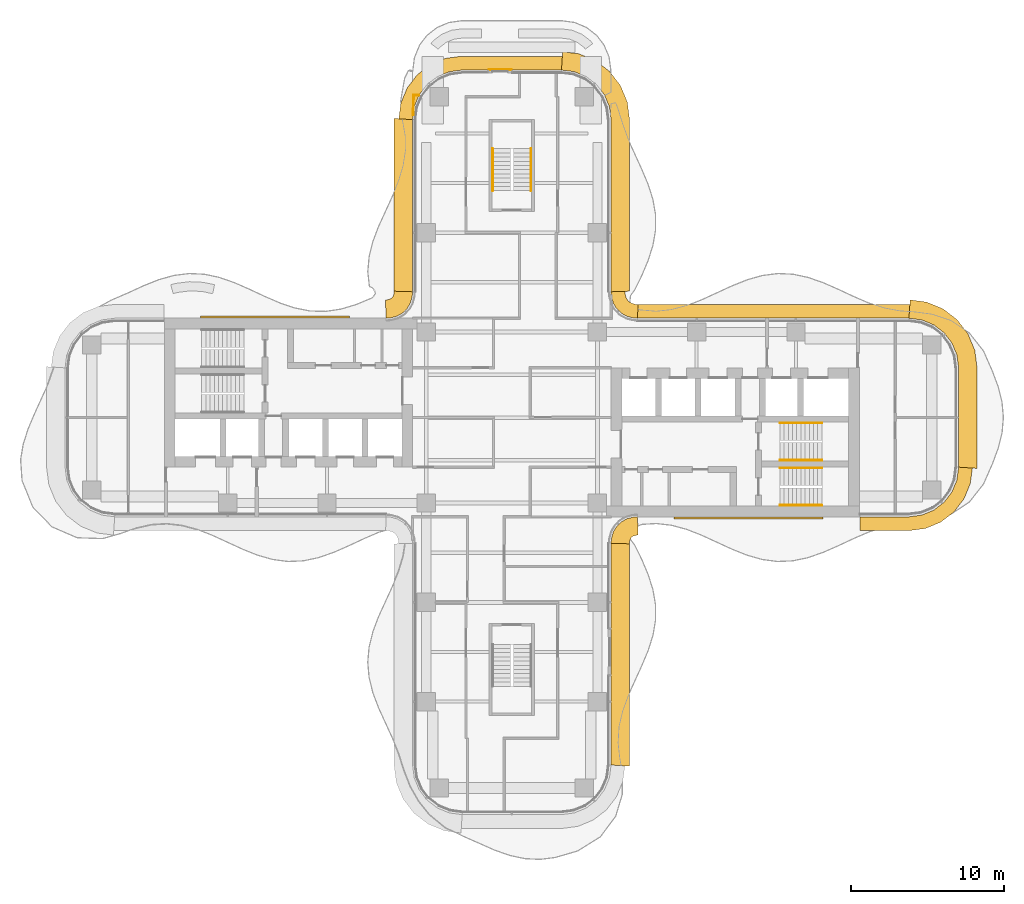
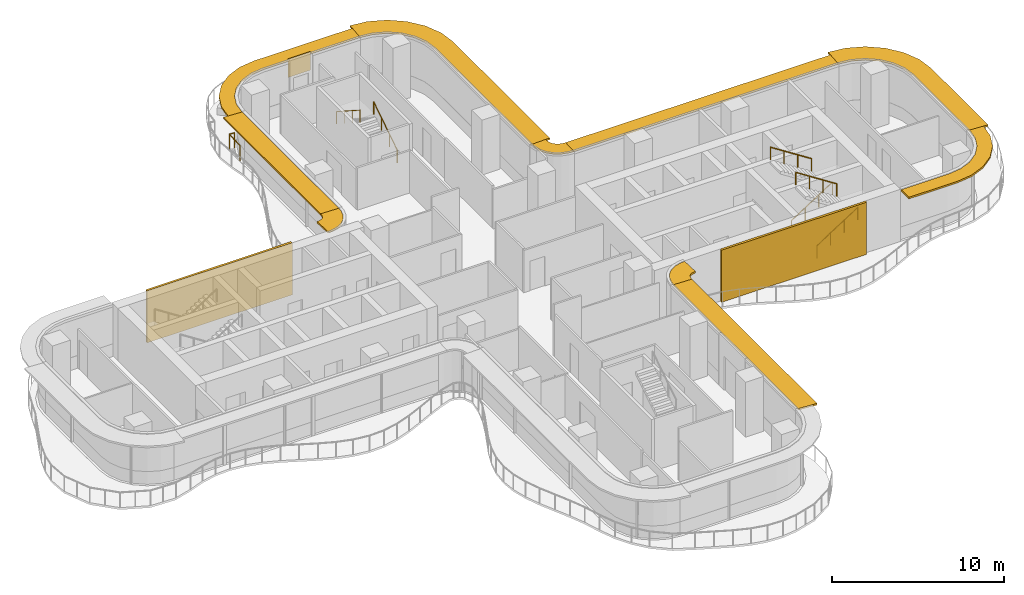
# One storey, part 17 of 17: 10 shading devices, 7 railings, 3 coverings.
"""IFC4 building model written with IfcOpenShell, lengths in metres."""

from ifc_helpers import new_model, si_unit, direction, frame, origin, origin_2d, place, context, subcontext, project, spatial, polyline, rectangle, circle, outline, extrude, source, transform, mapped, material, layer, layer_set, type_object, element, save


model = new_model("IFC4")

# Units and contexts
model_context = context("Model", 3, precision=1e-05, world=origin(), true_north=direction((0.0, 1.0)))
body_context = subcontext(model_context, "Body", "Model", "MODEL_VIEW")
ifc_project = project(units=[si_unit("LENGTHUNIT", "METRE"), si_unit("AREAUNIT", "SQUARE_METRE"), si_unit("VOLUMEUNIT", "CUBIC_METRE"), si_unit("PLANEANGLEUNIT", "RADIAN"), si_unit("MASSUNIT", "GRAM", prefix="KILO")], contexts=[model_context])

# Site, building, storey
site_placement = place(None, origin())
site = spatial("IfcSite", under=ifc_project, at=site_placement, CompositionType="ELEMENT")
building_placement = place(site_placement, origin())
building = spatial("IfcBuilding", under=site, at=building_placement, Name="Trellis Farm Tower", CompositionType="ELEMENT")
storey_placement = place(building_placement, frame((0.0, 0.0, 185.39990234375)))
storey = spatial("IfcBuildingStorey", under=building, at=storey_placement, Name="L40", CompositionType="ELEMENT", Elevation=185.39990234375)

# Covering
ifc_material_1 = material(Name="Sandstone", Category="masonry")
ifc_layer_1 = layer(ifc_material_1, 0.050048828125)
ifc_layer_set_1 = layer_set([ifc_layer_1], Name="STONE CLADDING PANEL")
covering_type_1 = type_object("IfcCoveringType", Name="STONE CLADDING PANEL", PredefinedType="CLADDING", material=ifc_layer_set_1)
covering_1_placement = place(storey_placement, frame((0.0, 0.0, 2.400146484375)))
element("IfcCovering", 1, at=covering_1_placement, inside=storey, type_object=covering_type_1, Name="CD1 02", PredefinedType="CLADDING", context=body_context, shape_type="SweptSolid", body=[
    extrude(outline(polyline([(-0.02001953125, 22.800048828125), (-1.52001953125, 22.800048828125), (-1.52001953125, 22.75), (-0.02001953125, 22.75), (-0.02001953125, 22.800048828125)])), origin(), (0.0, 0.0, 1.0), 1.300048828125),
])

# Railings
ifc_material_2 = material(Name="Stainless steel", Category="steel")
railing_type_1 = type_object("IfcRailingType", Name="STAIR HANDRAIL 900", PredefinedType="HANDRAIL", material=ifc_material_2)
shared_shape_1 = source(origin(), body_context, "Body", "SweptSolid", [
    extrude(circle(Radius=0.02392578125, at=origin_2d()), frame((0.0, 0.0, 0.8759765625), z_axis=(0.0, 0.840503830235, 0.541805602924), x_axis=(-1.0, 0.0, 0.0)), (0.0, 0.0, 1.0), 3.271728515625),
    extrude(circle(Radius=0.02099609375, at=origin_2d()), origin(), (0.0, 0.0, 1.0), 0.851806640625),
    extrude(circle(Radius=0.02099609375, at=origin_2d()), frame((0.0, 0.916748046875, 0.5908203125)), (0.0, 0.0, 1.0), 0.851806640625),
    extrude(circle(Radius=0.02099609375, at=origin_2d()), frame((0.0, 1.833251953125, 1.181884765625)), (0.0, 0.0, 1.0), 0.851806640625),
    extrude(circle(Radius=0.02099609375, at=origin_2d()), frame((0.0, 2.75, 1.772705078125)), (0.0, 0.0, 1.0), 0.851806640625),
])
railing_1_placement = place(storey_placement, frame((1.25, 14.85009765625, 0.177490234375)))
element("IfcRailing", 2, at=railing_1_placement, inside=storey, type_object=railing_type_1, Name="Stair handrail", PredefinedType="HANDRAIL", context=body_context, shape_type="MappedRepresentation", body=[
    mapped(shared_shape_1, transform((0.0, 0.0, 0.0))),
])
shared_shape_2 = source(origin(), body_context, "Body", "SweptSolid", [
    extrude(circle(Radius=0.02392578125, at=origin_2d()), frame((0.0, 0.0, 0.8759765625), z_axis=(0.0, -0.840503830235, 0.541805602924), x_axis=(1.0, 0.0, 0.0)), (0.0, 0.0, 1.0), 3.271728515625),
    extrude(circle(Radius=0.02099609375, at=origin_2d()), origin(), (0.0, 0.0, 1.0), 0.851806640625),
    extrude(circle(Radius=0.02099609375, at=origin_2d()), frame((0.0, -0.916748046875, 0.5908203125)), (0.0, 0.0, 1.0), 0.851806640625),
    extrude(circle(Radius=0.02099609375, at=origin_2d()), frame((0.0, -1.833251953125, 1.181884765625)), (0.0, 0.0, 1.0), 0.851806640625),
    extrude(circle(Radius=0.02099609375, at=origin_2d()), frame((0.0, -2.75, 1.772705078125)), (0.0, 0.0, 1.0), 0.851806640625),
])
railing_2_placement = place(storey_placement, frame((-1.25, 17.60009765625, 2.12744140625)))
element("IfcRailing", 3, at=railing_2_placement, inside=storey, type_object=railing_type_1, Name="Stair handrail", PredefinedType="HANDRAIL", context=body_context, shape_type="MappedRepresentation", body=[
    mapped(shared_shape_2, transform((0.0, 0.0, 0.0))),
])
shared_shape_3 = source(origin(), body_context, "Body", "SweptSolid", [
    extrude(circle(Radius=0.02392578125, at=origin_2d()), frame((0.0, 0.0, 0.8759765625), z_axis=(0.840503830235, 0.0, 0.541805602924), x_axis=(0.0, 1.0, 0.0)), (0.0, 0.0, 1.0), 3.271728515625),
    extrude(circle(Radius=0.02099609375, at=origin_2d()), origin(), (0.0, 0.0, 1.0), 0.851806640625),
    extrude(circle(Radius=0.02099609375, at=origin_2d()), frame((0.916748046875, 0.0, 0.5908203125)), (0.0, 0.0, 1.0), 0.851806640625),
    extrude(circle(Radius=0.02099609375, at=origin_2d()), frame((1.833251953125, 0.0, 1.181884765625)), (0.0, 0.0, 1.0), 0.851806640625),
    extrude(circle(Radius=0.02099609375, at=origin_2d()), frame((2.75, 0.0, 1.772705078125)), (0.0, 0.0, 1.0), 0.851806640625),
])
for number, where, name in (
    (4, (17.550048828125, -5.75, 0.177490234375), "Stair handrail"),
    (5, (17.550048828125, -2.800048828125, 0.177490234375), "Stair handrail"),
):
    element("IfcRailing", number, at=place(storey_placement, frame(where)), inside=storey, type_object=railing_type_1, Name=name, PredefinedType="HANDRAIL", context=body_context, shape_type="MappedRepresentation", body=[
        mapped(shared_shape_3, transform((0.0, 0.0, 0.0))),
    ])
shared_shape_4 = source(origin(), body_context, "Body", "SweptSolid", [
    extrude(circle(Radius=0.02392578125, at=origin_2d()), frame((0.0, 0.0, 0.8759765625), z_axis=(-0.840503830235, 0.0, 0.541805602924), x_axis=(0.0, -1.0, 0.0)), (0.0, 0.0, 1.0), 3.271728515625),
    extrude(circle(Radius=0.02099609375, at=origin_2d()), origin(), (0.0, 0.0, 1.0), 0.851806640625),
    extrude(circle(Radius=0.02099609375, at=origin_2d()), frame((-0.916748046875, 0.0, 0.5908203125)), (0.0, 0.0, 1.0), 0.851806640625),
    extrude(circle(Radius=0.02099609375, at=origin_2d()), frame((-1.833251953125, 0.0, 1.181884765625)), (0.0, 0.0, 1.0), 0.851806640625),
    extrude(circle(Radius=0.02099609375, at=origin_2d()), frame((-2.75, 0.0, 1.772705078125)), (0.0, 0.0, 1.0), 0.851806640625),
])
for number, where, name in (
    (6, (20.300048828125, -3.300048828125, 2.12744140625), "Stair handrail"),
    (7, (20.300048828125, -0.35009765625, 2.12744140625), "Stair handrail"),
):
    element("IfcRailing", number, at=place(storey_placement, frame(where)), inside=storey, type_object=railing_type_1, Name=name, PredefinedType="HANDRAIL", context=body_context, shape_type="MappedRepresentation", body=[
        mapped(shared_shape_4, transform((0.0, 0.0, 0.0))),
    ])

# Shading devices
ifc_material_3 = material(Name="Aluminium extrusion 6063-T6", Category="aluminium")
ifc_layer_2 = layer(ifc_material_3, 0.1201171875)
ifc_layer_set_2 = layer_set([ifc_layer_2], Name="SUNSHADE BLADE 1200")
shading_device_type_1 = type_object("IfcShadingDeviceType", Name="SUNSHADE BLADE 1200", PredefinedType="USERDEFINED", material=ifc_layer_set_2)
shared_shape_5 = source(origin(), body_context, "Body", "SweptSolid", [
    extrude(outline(polyline([(7.699951171875, -22.82861328125), (7.699951171875, -8.270751953125), (6.5, -8.2314453125), (6.5, -22.75), (7.699951171875, -22.82861328125)])), origin(), (0.0, 0.0, 1.0), 0.1201171875),
])
placement_1 = place(storey_placement, frame((0.0, 0.0, 3.5400390625)))
element("IfcShadingDevice", 8, at=placement_1, inside=storey, type_object=shading_device_type_1, Name="SD2 005", ObjectType="SUNSHADE", PredefinedType="USERDEFINED", context=body_context, shape_type="MappedRepresentation", body=[
    mapped(shared_shape_5, transform((0.0, 0.0, 0.0))),
])
shared_shape_6 = source(origin(), body_context, "Body", "SweptSolid", [
    extrude(outline(polyline([(7.699951171875, -8.270751953125), (7.708740234375, -8.13720703125), (7.70703125, -8.150146484375), (7.7548828125, -7.9716796875), (7.80712890625, -7.881103515625), (7.881103515625, -7.80712890625), (7.9716796875, -7.7548828125), (8.150146484375, -7.70703125), (8.13720703125, -7.708740234375), (8.270751953125, -7.699951171875), (8.2314453125, -6.5), (8.01953125, -6.513916015625), (7.91552734375, -6.527587890625), (7.508544921875, -6.63671875), (7.144287109375, -6.846923828125), (6.846923828125, -7.144287109375), (6.63671875, -7.508544921875), (6.527587890625, -7.91552734375), (6.513916015625, -8.01953125), (6.5, -8.2314453125), (7.699951171875, -8.270751953125)])), origin(), (0.0, 0.0, 1.0), 0.1201171875),
])
element("IfcShadingDevice", 9, at=placement_1, inside=storey, type_object=shading_device_type_1, Name="SD2 006", ObjectType="SUNSHADE", PredefinedType="USERDEFINED", context=body_context, shape_type="MappedRepresentation", body=[
    mapped(shared_shape_6, transform((0.0, 0.0, 0.0))),
])
ifc_layer_3 = layer(ifc_material_3, 0.1201171875)
ifc_layer_set_3 = layer_set([ifc_layer_3], Name="SUNSHADE BLADE 900")
shading_device_type_2 = type_object("IfcShadingDeviceType", Name="SUNSHADE BLADE 900", PredefinedType="USERDEFINED", material=ifc_layer_set_3)
shared_shape_7 = source(origin(), body_context, "Body", "SweptSolid", [
    extrude(outline(polyline([(22.780029296875, -7.39990234375), (26.05908203125, -7.39990234375), (27.076171875, -7.26611328125), (28.078857421875, -6.850830078125), (28.93994140625, -6.18994140625), (29.600830078125, -5.328857421875), (30.01611328125, -4.326171875), (30.14990234375, -3.30908203125), (29.25, -3.25), (29.13916015625, -4.091064453125), (28.814697265625, -4.875), (28.298095703125, -5.548095703125), (27.625, -6.064697265625), (26.841064453125, -6.38916015625), (26.0, -6.5), (22.780029296875, -6.5), (22.780029296875, -7.39990234375)])), origin(), (0.0, 0.0, 1.0), 0.1201171875),
])
element("IfcShadingDevice", 10, at=placement_1, inside=storey, type_object=shading_device_type_2, Name="SD1 007", ObjectType="SUNSHADE", PredefinedType="USERDEFINED", context=body_context, shape_type="MappedRepresentation", body=[
    mapped(shared_shape_7, transform((0.0, 0.0, 0.0))),
])
shared_shape_8 = source(origin(), body_context, "Body", "SweptSolid", [
    extrude(outline(polyline([(30.449951171875, -3.32861328125), (30.449951171875, 3.32861328125), (30.308349609375, 4.404541015625), (29.86279296875, 5.480224609375), (29.154052734375, 6.404052734375), (28.230224609375, 7.11279296875), (27.154541015625, 7.558349609375), (26.07861328125, 7.699951171875), (26.0, 6.5), (26.841064453125, 6.38916015625), (27.625, 6.064697265625), (28.298095703125, 5.548095703125), (28.814697265625, 4.875), (29.13916015625, 4.091064453125), (29.25, 3.25), (29.25, -3.25), (30.449951171875, -3.32861328125)])), origin(), (0.0, 0.0, 1.0), 0.1201171875),
])
element("IfcShadingDevice", 11, at=placement_1, inside=storey, type_object=shading_device_type_1, Name="SD2 008", ObjectType="SUNSHADE", PredefinedType="USERDEFINED", context=body_context, shape_type="MappedRepresentation", body=[
    mapped(shared_shape_8, transform((0.0, 0.0, 0.0))),
])
shared_shape_9 = source(origin(), body_context, "Body", "SweptSolid", [
    extrude(outline(polyline([(26.05908203125, 7.39990234375), (8.2607421875, 7.39990234375), (8.2314453125, 6.5), (26.0, 6.5), (26.05908203125, 7.39990234375)])), origin(), (0.0, 0.0, 1.0), 0.1201171875),
])
element("IfcShadingDevice", 12, at=placement_1, inside=storey, type_object=shading_device_type_2, Name="SD1 009", ObjectType="SUNSHADE", PredefinedType="USERDEFINED", context=body_context, shape_type="MappedRepresentation", body=[
    mapped(shared_shape_9, transform((0.0, 0.0, 0.0))),
])
shared_shape_10 = source(origin(), body_context, "Body", "SweptSolid", [
    extrude(outline(polyline([(8.2607421875, 7.39990234375), (8.107666015625, 7.409912109375), (8.091552734375, 7.412109375), (7.85595703125, 7.475341796875), (7.697021484375, 7.567138671875), (7.567138671875, 7.697021484375), (7.475341796875, 7.85595703125), (7.412109375, 8.091552734375), (7.409912109375, 8.107666015625), (7.39990234375, 8.2607421875), (6.5, 8.2314453125), (6.513916015625, 8.01953125), (6.527587890625, 7.91552734375), (6.63671875, 7.508544921875), (6.846923828125, 7.144287109375), (7.144287109375, 6.846923828125), (7.508544921875, 6.63671875), (7.91552734375, 6.527587890625), (8.01953125, 6.513916015625), (8.2314453125, 6.5), (8.2607421875, 7.39990234375)])), origin(), (0.0, 0.0, 1.0), 0.1201171875),
])
element("IfcShadingDevice", 13, at=placement_1, inside=storey, type_object=shading_device_type_2, Name="SD1 010", ObjectType="SUNSHADE", PredefinedType="USERDEFINED", context=body_context, shape_type="MappedRepresentation", body=[
    mapped(shared_shape_10, transform((0.0, 0.0, 0.0))),
])
shared_shape_11 = source(origin(), body_context, "Body", "SweptSolid", [
    extrude(outline(polyline([(-7.699951171875, 8.270751953125), (-7.708740234375, 8.13720703125), (-7.70703125, 8.150146484375), (-7.7548828125, 7.9716796875), (-7.80712890625, 7.881103515625), (-7.881103515625, 7.80712890625), (-7.9716796875, 7.7548828125), (-8.150146484375, 7.70703125), (-8.13720703125, 7.708740234375), (-8.270751953125, 7.699951171875), (-8.2314453125, 6.5), (-8.01953125, 6.513916015625), (-7.91552734375, 6.527587890625), (-7.508544921875, 6.63671875), (-7.144287109375, 6.846923828125), (-6.846923828125, 7.144287109375), (-6.63671875, 7.508544921875), (-6.527587890625, 7.91552734375), (-6.513916015625, 8.01953125), (-6.5, 8.2314453125), (-7.699951171875, 8.270751953125)])), origin(), (0.0, 0.0, 1.0), 0.1201171875),
])
element("IfcShadingDevice", 14, at=placement_1, inside=storey, type_object=shading_device_type_1, Name="SD2 014", ObjectType="SUNSHADE", PredefinedType="USERDEFINED", context=body_context, shape_type="MappedRepresentation", body=[
    mapped(shared_shape_11, transform((0.0, 0.0, 0.0))),
])

# Coverings
ifc_material_4 = material(Name="Perforated precast screen (cobogo)", Category="concrete")
ifc_layer_4 = layer(ifc_material_4, 0.14990234375)
ifc_layer_set_4 = layer_set([ifc_layer_4], Name="COBOGO SCREEN PANEL")
covering_type_2 = type_object("IfcCoveringType", Name="COBOGO SCREEN PANEL", PredefinedType="USERDEFINED", material=ifc_layer_set_4)
shared_shape_12 = source(origin(), body_context, "Body", "SweptSolid", [
    extrude(outline(polyline([(10.630615234375, -6.64990234375), (20.380615234375, -6.64990234375), (20.380615234375, -6.5), (10.630615234375, -6.5), (10.630615234375, -6.64990234375)])), origin(), (0.0, 0.0, 1.0), 3.7001953125),
])
placement_2 = place(storey_placement, origin())
element("IfcCovering", 15, at=placement_2, inside=storey, type_object=covering_type_2, Name="SC1 01", ObjectType="SCREEN", PredefinedType="USERDEFINED", context=body_context, shape_type="MappedRepresentation", body=[
    mapped(shared_shape_12, transform((0.0, 0.0, 0.0))),
])
shared_shape_13 = source(origin(), body_context, "Body", "SweptSolid", [
    extrude(outline(polyline([(-10.630615234375, 6.64990234375), (-20.380615234375, 6.64990234375), (-20.380615234375, 6.5), (-10.630615234375, 6.5), (-10.630615234375, 6.64990234375)])), origin(), (0.0, 0.0, 1.0), 3.7001953125),
])
element("IfcCovering", 16, at=placement_2, inside=storey, type_object=covering_type_2, Name="SC1 02", ObjectType="SCREEN", PredefinedType="USERDEFINED", context=body_context, shape_type="MappedRepresentation", body=[
    mapped(shared_shape_13, transform((0.0, 0.0, 0.0))),
])

# Railing
ifc_material_5 = material(Name="Stainless steel 316", Category="steel")
railing_type_2 = type_object("IfcRailingType", Name="BALUSTRADE GUARD 1100", PredefinedType="GUARDRAIL", material=ifc_material_5)
shared_shape_14 = source(origin(), body_context, "Body", "SweptSolid", [
    extrude(rectangle(XDim=0.050048828125, YDim=0.050048828125, at=origin_2d()), frame((0.0, 0.0, 1.0751953125), z_axis=(-0.998595991784, 0.052972117127, 0.0), x_axis=(-0.052972117127, -0.998595991784, 0.0)), (0.0, 0.0, 1.0), 0.341064453125),
    extrude(rectangle(XDim=0.050048828125, YDim=0.050048828125, at=origin_2d()), frame((-0.340576171875, 0.01806640625, 1.0751953125), z_axis=(-0.031520064781, -0.999503119313, 0.0), x_axis=(0.999503119313, -0.031520064781, 0.0)), (0.0, 0.0, 1.0), 1.30908203125),
    extrude(rectangle(XDim=0.0400390625, YDim=0.0400390625, at=origin_2d()), origin(), (0.0, 0.0, 1.0), 1.050048828125),
    extrude(rectangle(XDim=0.0400390625, YDim=0.0400390625, at=origin_2d()), frame((-0.340576171875, 0.01806640625, 0.0)), (0.0, 0.0, 1.0), 1.050048828125),
    extrude(rectangle(XDim=0.0400390625, YDim=0.0400390625, at=origin_2d()), frame((-0.3818359375, -1.290283203125, 0.0)), (0.0, 0.0, 1.0), 1.050048828125),
])
railing_3_placement = place(storey_placement, frame((-6.078369140625, 21.091552734375, 0.0)))
element("IfcRailing", 17, at=railing_3_placement, inside=storey, type_object=railing_type_2, Name="GD1 BAL-1", PredefinedType="GUARDRAIL", context=body_context, shape_type="MappedRepresentation", body=[
    mapped(shared_shape_14, transform((0.0, 0.0, 0.0))),
])

# Shading devices
shared_shape_15 = source(origin(), body_context, "Body", "SweptSolid", [
    extrude(outline(polyline([(7.699951171875, 8.270751953125), (7.699951171875, 19.57861328125), (7.558349609375, 20.654541015625), (7.11279296875, 21.730224609375), (6.404052734375, 22.654052734375), (5.480224609375, 23.36279296875), (4.404541015625, 23.808349609375), (3.32861328125, 23.949951171875), (3.25, 22.75), (4.091064453125, 22.63916015625), (4.875, 22.314697265625), (5.548095703125, 21.798095703125), (6.064697265625, 21.125), (6.38916015625, 20.341064453125), (6.5, 19.5), (6.5, 8.2314453125), (7.699951171875, 8.270751953125)])), origin(), (0.0, 0.0, 1.0), 0.1201171875),
])
element("IfcShadingDevice", 18, at=placement_1, inside=storey, type_object=shading_device_type_1, Name="SD2 011", ObjectType="SUNSHADE", PredefinedType="USERDEFINED", context=body_context, shape_type="MappedRepresentation", body=[
    mapped(shared_shape_15, transform((0.0, 0.0, 0.0))),
])
shared_shape_16 = source(origin(), body_context, "Body", "SweptSolid", [
    extrude(outline(polyline([(3.30908203125, 23.64990234375), (-3.30908203125, 23.64990234375), (-4.326171875, 23.51611328125), (-5.328857421875, 23.100830078125), (-6.18994140625, 22.43994140625), (-6.850830078125, 21.578857421875), (-7.26611328125, 20.576171875), (-7.39990234375, 19.55908203125), (-6.5, 19.5), (-6.38916015625, 20.341064453125), (-6.064697265625, 21.125), (-5.548095703125, 21.798095703125), (-4.875, 22.314697265625), (-4.091064453125, 22.63916015625), (-3.25, 22.75), (3.25, 22.75), (3.30908203125, 23.64990234375)])), origin(), (0.0, 0.0, 1.0), 0.1201171875),
])
element("IfcShadingDevice", 19, at=placement_1, inside=storey, type_object=shading_device_type_2, Name="SD1 012", ObjectType="SUNSHADE", PredefinedType="USERDEFINED", context=body_context, shape_type="MappedRepresentation", body=[
    mapped(shared_shape_16, transform((0.0, 0.0, 0.0))),
])
shared_shape_17 = source(origin(), body_context, "Body", "SweptSolid", [
    extrude(outline(polyline([(-7.699951171875, 19.57861328125), (-7.699951171875, 8.270751953125), (-6.5, 8.2314453125), (-6.5, 19.5), (-7.699951171875, 19.57861328125)])), origin(), (0.0, 0.0, 1.0), 0.1201171875),
])
element("IfcShadingDevice", 20, at=placement_1, inside=storey, type_object=shading_device_type_1, Name="SD2 013", ObjectType="SUNSHADE", PredefinedType="USERDEFINED", context=body_context, shape_type="MappedRepresentation", body=[
    mapped(shared_shape_17, transform((0.0, 0.0, 0.0))),
])

save(model, "model.ifc")
